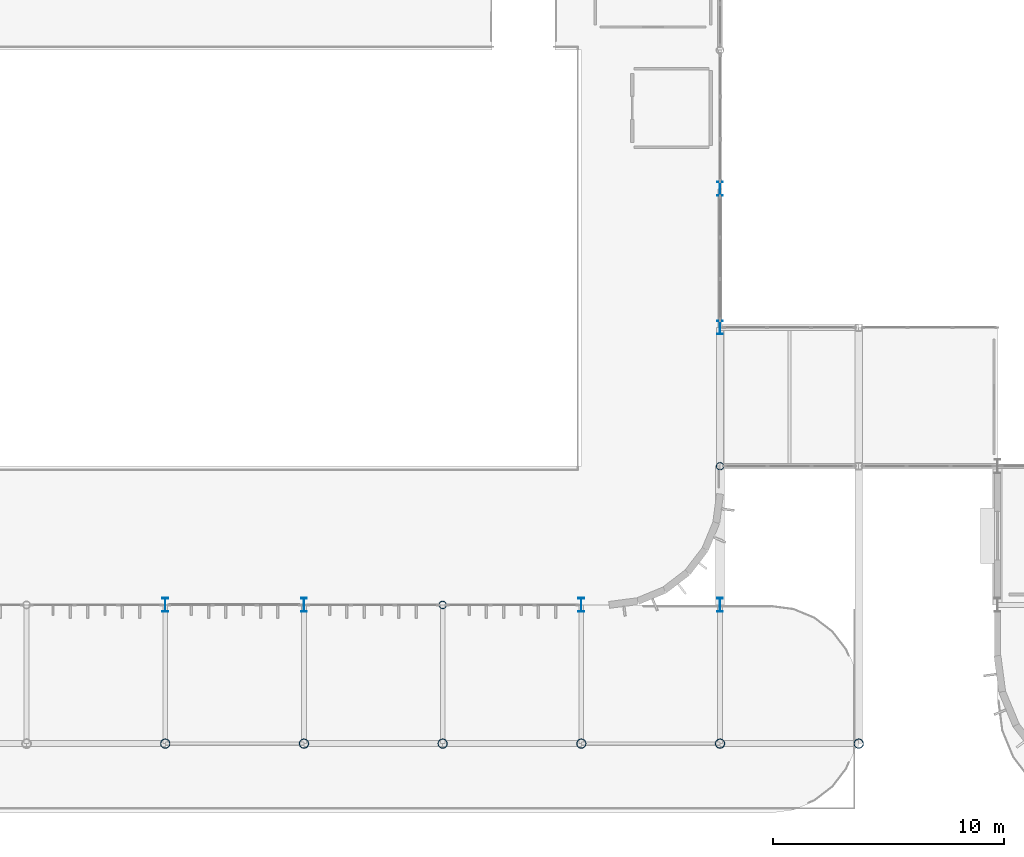
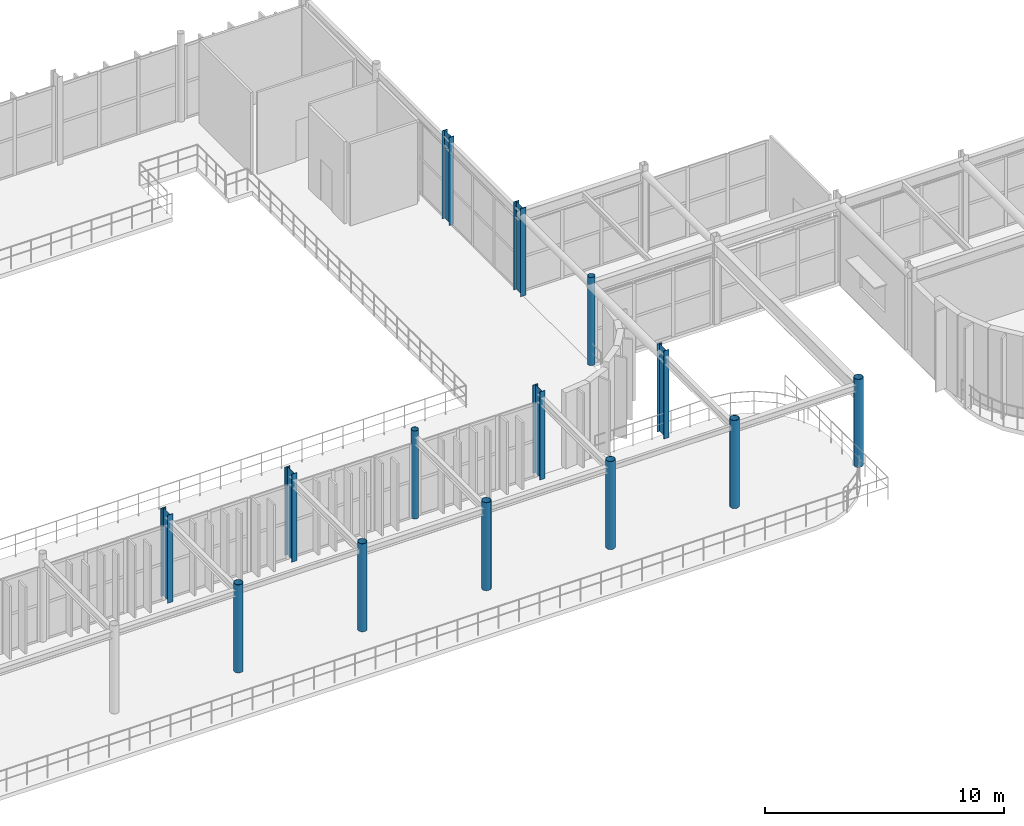
# One storey, part 7 of 96: 14 columns.
"""IFC4 building model written with IfcOpenShell, lengths in metres."""

from ifc_helpers import new_model, si_unit, direction, frame, origin, origin_2d, place, context, subcontext, project, spatial, hollow_circle, i_section, extrude, material, material_profile, profile_set, type_object, element, save


model = new_model("IFC4")

# Units and contexts
model_context = context("Model", 3, precision=1e-05, world=origin(), true_north=direction((0.0, 1.0)))
body_context = subcontext(model_context, "Body", "Model", "MODEL_VIEW")
ifc_project = project(units=[si_unit("LENGTHUNIT", "METRE"), si_unit("AREAUNIT", "SQUARE_METRE"), si_unit("VOLUMEUNIT", "CUBIC_METRE"), si_unit("PLANEANGLEUNIT", "RADIAN"), si_unit("MASSUNIT", "GRAM", prefix="KILO")], contexts=[model_context])

# Site, building, storey
site_placement = place(None, origin())
site = spatial("IfcSite", under=ifc_project, at=site_placement, CompositionType="ELEMENT")
building_placement = place(site_placement, origin())
building = spatial("IfcBuilding", under=site, at=building_placement, Name="Varnakota Square Police Headquarters", CompositionType="ELEMENT")
storey_placement = place(building_placement, frame((0.0, 0.0, 4.800048828125)))
storey = spatial("IfcBuildingStorey", under=building, at=storey_placement, Name="L01", CompositionType="ELEMENT", Elevation=4.800048828125)

# Columns
ifc_material = material(Name="Steel IS 2062 Grade 350", Category="steel")
ifc_material_profile_1 = material_profile(ifc_material, hollow_circle(Radius=0.161865234375, WallThickness=0.0126953125, at=origin_2d()), Name="CHS 323.9x12.7")
ifc_profile_set_1 = profile_set([ifc_material_profile_1], Name="Steel IS 2062 Grade 350")
column_type_1 = type_object("IfcColumnType", Name="COL-CHS324", PredefinedType="COLUMN", material=ifc_profile_set_1)
for number, where, z_axis, x_axis, name in (
    (1, (84.0, 9.0, 0.0), (0.0, 0.0, 1.0), (1.0, 0.0, 0.0), "Column X0840-Y0090 L01"),
    (2, (96.0, 15.0, 0.0), (0.0, 0.0, 1.0), (1.0, 0.0, 0.0), "Column X0960-Y0150 L01"),
):
    element("IfcColumn", number, at=place(storey_placement, frame(where, z_axis=z_axis, x_axis=x_axis)), inside=storey, type_object=column_type_1, Name=name, PredefinedType="COLUMN", context=body_context, shape_type="SweptSolid", body=[
        extrude(hollow_circle(Radius=0.161865234375, WallThickness=0.0126953125, at=origin_2d()), origin(), (0.0, 0.0, 1.0), 4.5),
    ])
ifc_material_profile_2 = material_profile(ifc_material, hollow_circle(Radius=0.203125, WallThickness=0.01611328125, at=origin_2d()), Name="CHS 406.4x16.0")
ifc_profile_set_2 = profile_set([ifc_material_profile_2], Name="Steel IS 2062 Grade 350")
column_type_2 = type_object("IfcColumnType", Name="COL-CHS406", PredefinedType="COLUMN", material=ifc_profile_set_2)
for number, where, z_axis, x_axis, name in (
    (3, (72.0, 3.0, 0.0), (0.0, 0.0, 1.0), (1.0, 0.0, 0.0), "Column X0720-Y0030 L01"),
    (4, (78.0, 3.0, 0.0), (0.0, 0.0, 1.0), (1.0, 0.0, 0.0), "Column X0780-Y0030 L01"),
    (5, (84.0, 3.0, 0.0), (0.0, 0.0, 1.0), (1.0, 0.0, 0.0), "Column X0840-Y0030 L01"),
    (6, (90.0, 3.0, 0.0), (0.0, 0.0, 1.0), (1.0, 0.0, 0.0), "Column X0900-Y0030 L01"),
    (7, (96.0, 3.0, 0.0), (0.0, 0.0, 1.0), (1.0, 0.0, 0.0), "Column X0960-Y0030 L01"),
    (8, (102.0, 3.0, 0.0), (0.0, 0.0, 1.0), (1.0, 0.0, 0.0), "Column X1020-Y0030 L01"),
):
    element("IfcColumn", number, at=place(storey_placement, frame(where, z_axis=z_axis, x_axis=x_axis)), inside=storey, type_object=column_type_2, Name=name, PredefinedType="COLUMN", context=body_context, shape_type="SweptSolid", body=[
        extrude(hollow_circle(Radius=0.203125, WallThickness=0.01611328125, at=origin_2d()), origin(), (0.0, 0.0, 1.0), 4.5),
    ])
ifc_material_profile_3 = material_profile(ifc_material, i_section(OverallWidth=0.25, OverallDepth=0.60009765625, WebThickness=0.01171875, FlangeThickness=0.023681640625, FilletRadius=0.01708984375, at=origin_2d()), Name="ISWB 600")
ifc_profile_set_3 = profile_set([ifc_material_profile_3], Name="Steel IS 2062 Grade 350")
column_type_3 = type_object("IfcColumnType", Name="COL-ISWB600", PredefinedType="COLUMN", material=ifc_profile_set_3)
for number, where, z_axis, x_axis, name in (
    (9, (72.0, 9.0, 0.0), (0.0, 0.0, 1.0), (1.0, 0.0, 0.0), "Column X0720-Y0090 L01"),
    (10, (78.0, 9.0, 0.0), (0.0, 0.0, 1.0), (1.0, 0.0, 0.0), "Column X0780-Y0090 L01"),
    (11, (90.0, 9.0, 0.0), (0.0, 0.0, 1.0), (1.0, 0.0, 0.0), "Column X0900-Y0090 L01"),
    (12, (96.0, 9.0, 0.0), (0.0, 0.0, 1.0), (1.0, 0.0, 0.0), "Column X0960-Y0090 L01"),
    (13, (96.0, 21.0, 0.0), (0.0, 0.0, 1.0), (1.0, 0.0, 0.0), "Column X0960-Y0210 L01"),
    (14, (96.0, 27.0, 0.0), (0.0, 0.0, 1.0), (1.0, 0.0, 0.0), "Column X0960-Y0270 L01"),
):
    element("IfcColumn", number, at=place(storey_placement, frame(where, z_axis=z_axis, x_axis=x_axis)), inside=storey, type_object=column_type_3, Name=name, PredefinedType="COLUMN", context=body_context, shape_type="SweptSolid", body=[
        extrude(i_section(OverallWidth=0.25, OverallDepth=0.60009765625, WebThickness=0.01171875, FlangeThickness=0.023681640625, FilletRadius=0.01708984375, at=origin_2d()), origin(), (0.0, 0.0, 1.0), 4.5),
    ])

save(model, "model.ifc")
